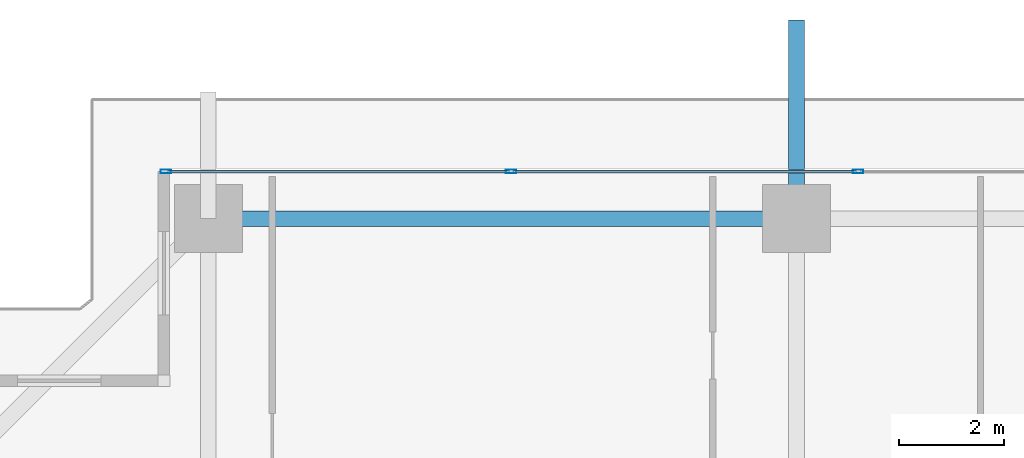
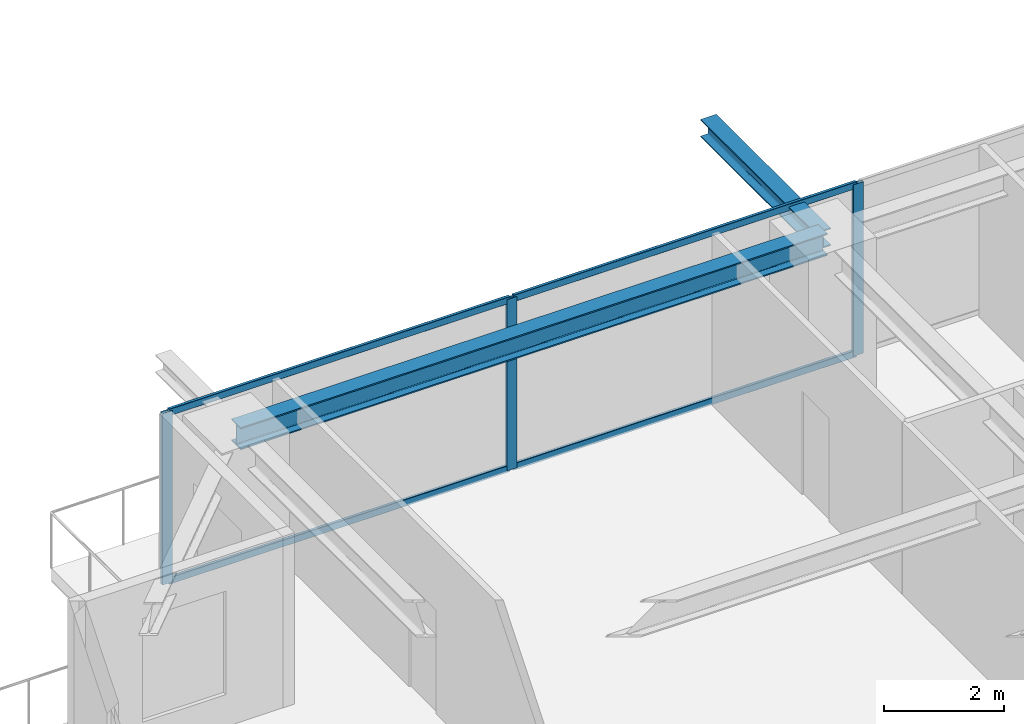
# One storey, part 21 of 38: 7 members, 2 beams, 1 element without a shape of its own.
"""IFC4 building model written with IfcOpenShell, lengths in metres."""

import ifcopenshell
import ifcopenshell.guid

model = None  # the IFC model being written
_history = None  # IfcOwnerHistory: only IFC2X3 demands one
_inside = {}  # id of a spatial element -> (the spatial element, [elements in it])
_under = {}  # id of a project, library or spatial element -> (it, [spatial elements below it])
_declared = {}  # id of a project -> (the project, [libraries it declares])
_typed = {}  # id of a type object -> (the type object, [elements of that type])
_made_of = {}  # id of a material, layer set ... -> (it, [elements and type objects made of it])


def new_model(schema):
    """Start an empty IFC model of exactly this schema.

    Asked for "IFC4X3", IfcOpenShell would pick the latest addendum, in which some entities
    have other attributes; the version numbers below select the first issue.
    IFC2X3 requires an IfcOwnerHistory on every rooted entity: one is made here for all.
    """
    global model, _history
    if schema == "IFC4X3":
        model = ifcopenshell.file(schema_version=(4, 3, 0, 0))
    else:
        model = ifcopenshell.file(schema=schema)
    _inside.clear()
    _under.clear()
    _declared.clear()
    _typed.clear()
    _made_of.clear()
    _history = None
    if model.schema == "IFC2X3":
        org = make("IfcOrganization", Name="unknown")
        user = make(
            "IfcPersonAndOrganization",
            ThePerson=make("IfcPerson", FamilyName="unknown"),
            TheOrganization=org,
        )
        app = make(
            "IfcApplication",
            ApplicationDeveloper=org,
            Version="unknown",
            ApplicationFullName="unknown",
            ApplicationIdentifier="unknown",
        )
        _history = make(
            "IfcOwnerHistory",
            OwningUser=user,
            OwningApplication=app,
            ChangeAction="ADDED",
            CreationDate=0,
        )
    return model


def make(cls, **values):
    """One entity of the class cls with the attributes given. An attribute that is None is left unset."""
    return model.create_entity(
        cls, **{name: value for name, value in values.items() if value is not None}
    )


def rooted(cls, **values):
    """An entity with a GlobalId (a new one), such as an element, a storey or a relation."""
    return make(cls, GlobalId=ifcopenshell.guid.new(), OwnerHistory=_history, **values)


def si_unit(unit_type, name, prefix=None):
    """IfcSIUnit, for example si_unit("LENGTHUNIT", "METRE", prefix="MILLI")."""
    return make("IfcSIUnit", UnitType=unit_type, Prefix=prefix, Name=name)


def assignment(units):
    """IfcUnitAssignment: the units of a project."""
    return None if units is None else make("IfcUnitAssignment", Units=units)


def point(xyz):
    """IfcCartesianPoint."""
    return None if xyz is None else make("IfcCartesianPoint", Coordinates=xyz)


def direction(xyz):
    """IfcDirection."""
    return None if xyz is None else make("IfcDirection", DirectionRatios=xyz)


def frame(location, z_axis=None, x_axis=None):
    """IfcAxis2Placement3D, a coordinate frame: its origin and axes. An axis left out is left unset."""
    return make(
        "IfcAxis2Placement3D",
        Location=point(location),
        Axis=direction(z_axis),
        RefDirection=direction(x_axis),
    )


def frame_2d(location, x_axis=None):
    """IfcAxis2Placement2D, a coordinate frame in the plane: its origin and x axis."""
    return make(
        "IfcAxis2Placement2D", Location=point(location), RefDirection=direction(x_axis)
    )


def origin():
    """The frame at (0, 0, 0) with its axes left unset."""
    return frame((0.0, 0.0, 0.0))


def origin_2d():
    """The frame at (0, 0) in the plane with its x axis left unset."""
    return frame_2d((0.0, 0.0))


def place(relative_to, where):
    """IfcLocalPlacement: puts the frame where relative to a parent placement (None: the world)."""
    return make(
        "IfcLocalPlacement", PlacementRelTo=relative_to, RelativePlacement=where
    )


def context(
    kind, dimensions, precision=None, world=None, true_north=None, identifier=None
):
    """IfcGeometricRepresentationContext, for example the 3D "Model" context."""
    return make(
        "IfcGeometricRepresentationContext",
        ContextIdentifier=identifier,
        ContextType=kind,
        CoordinateSpaceDimension=dimensions,
        Precision=precision,
        WorldCoordinateSystem=world,
        TrueNorth=true_north,
    )


def subcontext(parent, identifier, kind, view, scale=None):
    """IfcGeometricRepresentationSubContext, for example "Body" below "Model"."""
    return make(
        "IfcGeometricRepresentationSubContext",
        ContextIdentifier=identifier,
        ContextType=kind,
        ParentContext=parent,
        TargetScale=scale,
        TargetView=view,
    )


def project(units=None, contexts=None):
    """IfcProject with its units and contexts."""
    return rooted(
        "IfcProject",
        Name="project",
        RepresentationContexts=contexts,
        UnitsInContext=assignment(units),
    )


def spatial(cls, under=None, at=None, **own):
    """A site, building, storey or space (cls), placed at a placement, below another one or the project."""
    s = rooted(cls, ObjectPlacement=at, **own)
    if under is not None:
        _under.setdefault(under.id(), (under, []))[1].append(s)
    return s


def profile(cls, at=None, kind="AREA", **sizes):
    """A parametric profile (cls). Its sizes go by their IFC names, for example OverallWidth=200.0."""
    return make(cls, ProfileType=kind, Position=at, **sizes)


def hollow_rectangle(**sizes):
    """IfcRectangleHollowProfileDef."""
    return profile("IfcRectangleHollowProfileDef", **sizes)


def i_section(**sizes):
    """IfcIShapeProfileDef."""
    return profile("IfcIShapeProfileDef", **sizes)


def extrude(swept, where, along, depth):
    """IfcExtrudedAreaSolid: the profile swept, set in the frame where, extruded along a direction by depth."""
    return make(
        "IfcExtrudedAreaSolid",
        SweptArea=swept,
        Position=where,
        ExtrudedDirection=direction(along),
        Depth=depth,
    )


def shape(context_of_items, identifier, shape_type, items):
    """IfcShapeRepresentation: the items that make up one representation, for example the "Body"."""
    return make(
        "IfcShapeRepresentation",
        ContextOfItems=context_of_items,
        RepresentationIdentifier=identifier,
        RepresentationType=shape_type,
        Items=items,
    )


def source(mapping_origin, context_of_items, identifier, shape_type, items):
    """IfcRepresentationMap: a shape defined once, which mapped items show again and again."""
    return make(
        "IfcRepresentationMap",
        MappingOrigin=mapping_origin,
        MappedRepresentation=shape(context_of_items, identifier, shape_type, items),
    )


def transform(
    local_origin,
    x_axis=None,
    y_axis=None,
    z_axis=None,
    scale=None,
    scale2=None,
    scale3=None,
    uniform=True,
):
    """IfcCartesianTransformationOperator3D, or its non-uniform kind. x_axis, y_axis, z_axis: its Axis1, 2, 3."""
    if uniform:
        return make(
            "IfcCartesianTransformationOperator3D",
            Axis1=direction(x_axis),
            Axis2=direction(y_axis),
            LocalOrigin=point(local_origin),
            Scale=scale,
            Axis3=direction(z_axis),
        )
    return make(
        "IfcCartesianTransformationOperator3DnonUniform",
        Axis1=direction(x_axis),
        Axis2=direction(y_axis),
        LocalOrigin=point(local_origin),
        Scale=scale,
        Axis3=direction(z_axis),
        Scale2=scale2,
        Scale3=scale3,
    )


def mapped(mapping_source, mapping_target):
    """IfcMappedItem: shows the shape of a source again, moved by a transform."""
    return make(
        "IfcMappedItem", MappingSource=mapping_source, MappingTarget=mapping_target
    )


def material(Name=None, Category=None):
    """IfcMaterial."""
    return make("IfcMaterial", Name=Name, Category=Category)


def layer(
    of_material, thickness, ventilated=None, Name=None, Category=None, Priority=None
):
    """IfcMaterialLayer: one layer of a wall or slab, of a material (None: an air gap)."""
    return make(
        "IfcMaterialLayer",
        Material=of_material,
        LayerThickness=thickness,
        IsVentilated=ventilated,
        Name=Name,
        Category=Category,
        Priority=Priority,
    )


def layer_set(layers, Name=None):
    """IfcMaterialLayerSet."""
    return make("IfcMaterialLayerSet", MaterialLayers=layers, LayerSetName=Name)


def material_profile(
    of_material, cross_section, Name=None, Category=None, Priority=None
):
    """IfcMaterialProfile: a cross section and its material."""
    return make(
        "IfcMaterialProfile",
        Name=Name,
        Material=of_material,
        Profile=cross_section,
        Priority=Priority,
        Category=Category,
    )


def profile_set(profiles, Name=None, composite=None):
    """IfcMaterialProfileSet."""
    return make(
        "IfcMaterialProfileSet",
        Name=Name,
        MaterialProfiles=profiles,
        CompositeProfile=composite,
    )


def made_of(thing, what):
    """Note that an element or type object is made of a material, layer set ...; save() writes the relation."""
    if what is not None:
        _made_of.setdefault(what.id(), (what, []))[1].append(thing)
    return thing


def type_object(cls, material=None, **own):
    """A type object (cls), such as IfcWallType, which elements share."""
    return made_of(rooted(cls, **own), material)


def element(
    cls,
    number,
    at=None,
    inside=None,
    cuts=None,
    type_object=None,
    material=None,
    context=None,
    identifier="Body",
    shape_type=None,
    held_by="IfcProductDefinitionShape",
    body=None,
    shapes=None,
    **own,
):
    """One element of the class cls, such as IfcWall. Its Tag is "e" and its number.

    at: its placement. inside: the storey or other place that contains it. cuts: it is an
    opening in that element (IfcRelVoidsElement). A single representation is given by context,
    identifier, shape_type and body (its items); several are given by shapes. held_by: the class
    of the entity that holds the representations. save() writes the other relations.
    """
    e = rooted(cls, Tag="e%d" % number, ObjectPlacement=at, **own)
    if body is not None:
        shapes = [shape(context, identifier, shape_type, body)]
    if shapes is not None:
        e.Representation = make(held_by, Representations=shapes)
    if inside is not None:
        _inside.setdefault(inside.id(), (inside, []))[1].append(e)
    if cuts is not None:
        rooted(
            "IfcRelVoidsElement", RelatingBuildingElement=cuts, RelatedOpeningElement=e
        )
    if type_object is not None:
        _typed.setdefault(type_object.id(), (type_object, []))[1].append(e)
    return made_of(e, material)


def aggregate(whole, parts):
    """IfcRelAggregates: a whole, such as a stair, and the parts it consists of."""
    return rooted("IfcRelAggregates", RelatingObject=whole, RelatedObjects=parts)


def save(model, path):
    """Write the relations noted so far, then the file.

    IfcRelAggregates (storeys below a building ...), IfcRelContainedInSpatialStructure (elements
    in a storey), IfcRelDefinesByType, IfcRelAssociatesMaterial and IfcRelDeclares: one each for
    every whole, place, type object, material and project.
    """
    for whole, parts in _under.values():
        aggregate(whole, parts)
    for where, things in _inside.values():
        rooted(
            "IfcRelContainedInSpatialStructure",
            RelatedElements=things,
            RelatingStructure=where,
        )
    for kind, things in _typed.values():
        rooted("IfcRelDefinesByType", RelatedObjects=things, RelatingType=kind)
    for what, things in _made_of.values():
        rooted("IfcRelAssociatesMaterial", RelatedObjects=things, RelatingMaterial=what)
    for by, libraries in _declared.values():
        rooted("IfcRelDeclares", RelatingContext=by, RelatedDefinitions=libraries)
    model.write(path)


model = new_model("IFC4")

# Units and contexts
model_context = context("Model", 3, precision=1e-05, world=origin(), true_north=direction((0.0, 1.0)))
body_context = subcontext(model_context, "Body", "Model", "MODEL_VIEW")
ifc_project = project(units=[si_unit("LENGTHUNIT", "METRE"), si_unit("AREAUNIT", "SQUARE_METRE"), si_unit("VOLUMEUNIT", "CUBIC_METRE"), si_unit("PLANEANGLEUNIT", "RADIAN"), si_unit("MASSUNIT", "GRAM", prefix="KILO")], contexts=[model_context])

# Site, building, storey
site_placement = place(None, origin())
site = spatial("IfcSite", under=ifc_project, at=site_placement, CompositionType="ELEMENT")
building_placement = place(site_placement, origin())
building = spatial("IfcBuilding", under=site, at=building_placement, Name="Serunith Strait Residences", CompositionType="ELEMENT")
storey_placement = place(building_placement, frame((0.0, 0.0, 176.39990234375)))
storey = spatial("IfcBuildingStorey", under=building, at=storey_placement, Name="L44", CompositionType="ELEMENT", Elevation=176.39990234375)

# Beams
ifc_material_1 = material(Name="Steel S355J2", Category="steel")
ifc_material_profile_1 = material_profile(ifc_material_1, i_section(OverallWidth=0.300048828125, OverallDepth=0.449951171875, WebThickness=0.013916015625, FlangeThickness=0.02587890625, FilletRadius=0.027099609375, at=origin_2d()), Name="HEB 450")
ifc_profile_set_1 = profile_set([ifc_material_profile_1], Name="Steel S355J2")
beam_type_1 = type_object("IfcBeamType", Name="BM-HEB450", PredefinedType="BEAM", material=ifc_profile_set_1)
shared_shape_1 = source(origin(), body_context, "Body", "SweptSolid", [
    extrude(i_section(OverallWidth=0.300048828125, OverallDepth=0.449951171875, WebThickness=0.013916015625, FlangeThickness=0.02587890625, FilletRadius=0.027099609375, at=origin_2d()), origin(), (0.0, 0.0, 1.0), 11.25),
])
beam_1_placement = place(storey_placement, frame((27.89990234375, 48.10009765625, 3.26220703125), z_axis=(-1.0, 0.0, 0.0), x_axis=(0.0, -1.0, 0.0)))
element("IfcBeam", 1, at=beam_1_placement, inside=storey, type_object=beam_type_1, Name="L44 Perimeter Ring Beam 11", PredefinedType="BEAM", context=body_context, shape_type="MappedRepresentation", body=[
    mapped(shared_shape_1, transform((0.0, 0.0, 0.0), scale=1.0)),
])
ifc_material_profile_2 = material_profile(ifc_material_1, i_section(OverallWidth=0.300048828125, OverallDepth=0.360107421875, WebThickness=0.012451171875, FlangeThickness=0.0224609375, FilletRadius=0.027099609375, at=origin_2d()), Name="HEB 360")
ifc_profile_set_2 = profile_set([ifc_material_profile_2], Name="Steel S355J2")
beam_type_2 = type_object("IfcBeamType", Name="BM-HEB360", PredefinedType="BEAM", material=ifc_profile_set_2)
shared_shape_2 = source(origin(), body_context, "Body", "SweptSolid", [
    extrude(i_section(OverallWidth=0.300048828125, OverallDepth=0.360107421875, WebThickness=0.012451171875, FlangeThickness=0.0224609375, FilletRadius=0.027099609375, at=origin_2d()), origin(), (0.0, 0.0, 1.0), 3.7998046875),
])
beam_2_placement = place(storey_placement, frame((27.89990234375, 48.10009765625, 3.277099609375), z_axis=(0.0, 1.0, 0.0), x_axis=(-1.0, 0.0, 0.0)))
element("IfcBeam", 2, at=beam_2_placement, inside=storey, type_object=beam_type_2, Name="L45 Cantilevered Balcony Rib TC-N2", PredefinedType="BEAM", context=body_context, shape_type="MappedRepresentation", body=[
    mapped(shared_shape_2, transform((0.0, 0.0, 0.0), scale=1.0)),
])

# Curtain wall, members
ifc_material_2 = material(Name="Pale-Champagne Anodised Aluminium", Category="aluminium")
ifc_layer = layer(ifc_material_2, 0.199951171875, Name="Pale-Champagne Anodised Aluminium")
ifc_layer_set = layer_set([ifc_layer], Name="Pale-Champagne Anodised Aluminium")
curtain_wall_type = type_object("IfcCurtainWallType", Name="CW-SYS2", PredefinedType="NOTDEFINED", material=ifc_layer_set)
curtain_wall_placement = place(storey_placement, origin())
curtain_wall = element("IfcCurtainWall", 3, at=curtain_wall_placement, inside=storey, type_object=curtain_wall_type, Name="L44 N Unitised Fritted Curtain Wall", PredefinedType="NOTDEFINED")
ifc_material_profile_3 = material_profile(ifc_material_2, hollow_rectangle(XDim=0.070068359375, YDim=0.199951171875, WallThickness=0.00390625, InnerFilletRadius=0.006103515625, OuterFilletRadius=0.010009765625, at=origin_2d()), Name="ALU 200x70x4")
ifc_profile_set_3 = profile_set([ifc_material_profile_3], Name="Pale-Champagne Anodised Aluminium")
member_type_1 = type_object("IfcMemberType", Name="CW-SYS2-MULL", PredefinedType="MULLION", material=ifc_profile_set_3)
shared_shape_3 = source(origin(), body_context, "Body", "SweptSolid", [
    extrude(hollow_rectangle(XDim=0.070068359375, YDim=0.199951171875, WallThickness=0.00390625, InnerFilletRadius=0.006103515625, OuterFilletRadius=0.010009765625, at=origin_2d()), origin(), (0.0, 0.0, 1.0), 3.47509765625),
])
member_1_placement = place(storey_placement, frame((29.080078125, 49.0, 0.0), z_axis=(0.0, 0.0, 1.0), x_axis=(0.0, -1.0, 0.0)))
member_1 = element("IfcMember", 4, at=member_1_placement, type_object=member_type_1, Name="CW-2 mullion 4", PredefinedType="MULLION", context=body_context, shape_type="MappedRepresentation", body=[
    mapped(shared_shape_3, transform((0.0, 0.0, 0.0), scale=1.0)),
])
member_2_placement = place(storey_placement, frame((22.43994140625, 49.0, 0.0), z_axis=(0.0, 0.0, 1.0), x_axis=(0.0, -1.0, 0.0)))
member_2 = element("IfcMember", 5, at=member_2_placement, type_object=member_type_1, Name="CW-2 mullion 5", PredefinedType="MULLION", context=body_context, shape_type="MappedRepresentation", body=[
    mapped(shared_shape_3, transform((0.0, 0.0, 0.0), scale=1.0)),
])
member_3_placement = place(storey_placement, frame((15.8349609375, 49.0, 0.0), z_axis=(0.0, 0.0, 1.0), x_axis=(0.0, -1.0, 0.0)))
member_3 = element("IfcMember", 6, at=member_3_placement, type_object=member_type_1, Name="CW-2 mullion 6", PredefinedType="MULLION", context=body_context, shape_type="MappedRepresentation", body=[
    mapped(shared_shape_3, transform((0.0, 0.0, 0.0), scale=1.0)),
])
ifc_material_profile_4 = material_profile(ifc_material_2, hollow_rectangle(XDim=0.06005859375, YDim=0.139892578125, WallThickness=0.00341796875, InnerFilletRadius=0.00537109375, OuterFilletRadius=0.0087890625, at=origin_2d()), Name="ALU 140x60x3.5")
ifc_profile_set_4 = profile_set([ifc_material_profile_4], Name="Pale-Champagne Anodised Aluminium")
member_type_2 = type_object("IfcMemberType", Name="CW-SYS2-TRAN", PredefinedType="USERDEFINED", material=ifc_profile_set_4)
shared_shape_4 = source(origin(), body_context, "Body", "SweptSolid", [
    extrude(hollow_rectangle(XDim=0.06005859375, YDim=0.139892578125, WallThickness=0.00341796875, InnerFilletRadius=0.00537109375, OuterFilletRadius=0.0087890625, at=origin_2d()), origin(), (0.0, 0.0, 1.0), 6.534912109375),
])
member_4_placement = place(storey_placement, frame((22.405029296875, 49.0, 0.030029296875), z_axis=(-1.0, 0.0, 0.0), x_axis=(0.0, -1.0, 0.0)))
member_4 = element("IfcMember", 7, at=member_4_placement, type_object=member_type_2, Name="CW-2 transom 5.1", ObjectType="TRANSOM", PredefinedType="USERDEFINED", context=body_context, shape_type="MappedRepresentation", body=[
    mapped(shared_shape_4, transform((0.0, 0.0, 0.0), scale=1.0)),
])
member_5_placement = place(storey_placement, frame((22.405029296875, 49.0, 3.445068359375), z_axis=(-1.0, 0.0, 0.0), x_axis=(0.0, -1.0, 0.0)))
member_5 = element("IfcMember", 8, at=member_5_placement, type_object=member_type_2, Name="CW-2 transom 5.2", ObjectType="TRANSOM", PredefinedType="USERDEFINED", context=body_context, shape_type="MappedRepresentation", body=[
    mapped(shared_shape_4, transform((0.0, 0.0, 0.0), scale=1.0)),
])
shared_shape_5 = source(origin(), body_context, "Body", "SweptSolid", [
    extrude(hollow_rectangle(XDim=0.06005859375, YDim=0.139892578125, WallThickness=0.00341796875, InnerFilletRadius=0.00537109375, OuterFilletRadius=0.0087890625, at=origin_2d()), origin(), (0.0, 0.0, 1.0), 6.56982421875),
])
member_6_placement = place(storey_placement, frame((29.044921875, 49.0, 0.030029296875), z_axis=(-1.0, 0.0, 0.0), x_axis=(0.0, -1.0, 0.0)))
member_6 = element("IfcMember", 9, at=member_6_placement, type_object=member_type_2, Name="CW-2 transom 4.1", ObjectType="TRANSOM", PredefinedType="USERDEFINED", context=body_context, shape_type="MappedRepresentation", body=[
    mapped(shared_shape_5, transform((0.0, 0.0, 0.0), scale=1.0)),
])
member_7_placement = place(storey_placement, frame((29.044921875, 49.0, 3.445068359375), z_axis=(-1.0, 0.0, 0.0), x_axis=(0.0, -1.0, 0.0)))
member_7 = element("IfcMember", 10, at=member_7_placement, type_object=member_type_2, Name="CW-2 transom 4.2", ObjectType="TRANSOM", PredefinedType="USERDEFINED", context=body_context, shape_type="MappedRepresentation", body=[
    mapped(shared_shape_5, transform((0.0, 0.0, 0.0), scale=1.0)),
])
aggregate(curtain_wall, [member_1, member_2, member_3, member_6, member_7, member_4, member_5])

save(model, "model.ifc")
